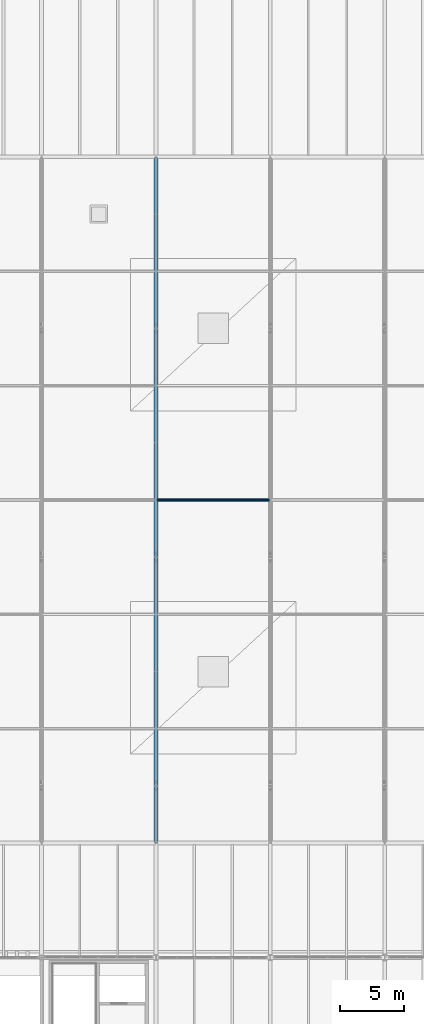
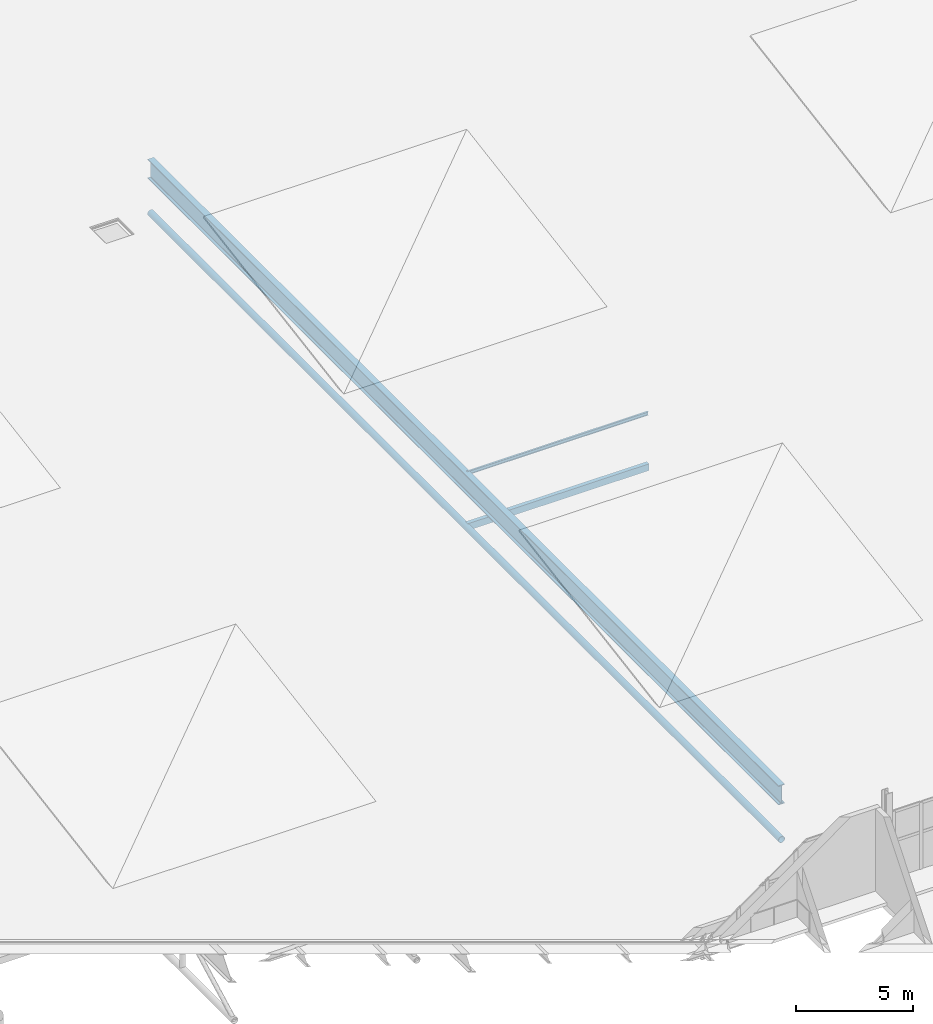
# One storey, part 75 of 196: 3 members, 1 beam.
"""IFC4 building model written with IfcOpenShell, lengths in metres."""

from ifc_helpers import new_model, si_unit, direction, frame, origin, origin_2d, place, context, subcontext, project, spatial, hollow_rectangle, hollow_circle, i_section, extrude, material, material_profile, profile_set, type_object, element, save


model = new_model("IFC4")

# Units and contexts
model_context = context("Model", 3, precision=1e-05, world=origin(), true_north=direction((0.0, 1.0)))
body_context = subcontext(model_context, "Body", "Model", "MODEL_VIEW")
ifc_project = project(units=[si_unit("LENGTHUNIT", "METRE"), si_unit("AREAUNIT", "SQUARE_METRE"), si_unit("VOLUMEUNIT", "CUBIC_METRE"), si_unit("PLANEANGLEUNIT", "RADIAN"), si_unit("MASSUNIT", "GRAM", prefix="KILO")], contexts=[model_context])

# Site, building, storey
site_placement = place(None, origin())
site = spatial("IfcSite", under=ifc_project, at=site_placement, CompositionType="ELEMENT")
building_placement = place(site_placement, origin())
building = spatial("IfcBuilding", under=site, at=building_placement, Name="Barlavento Convention Centre", CompositionType="ELEMENT")
storey_placement = place(building_placement, frame((0.0, 0.0, 18.0)))
storey = spatial("IfcBuildingStorey", under=building, at=storey_placement, Name="L03", CompositionType="ELEMENT", Elevation=18.0)

# Beam
ifc_material_1 = material(Name="Steel S460", Category="steel")
ifc_material_profile_1 = material_profile(ifc_material_1, i_section(OverallWidth=0.302001953125, OverallDepth=1.008056640625, WebThickness=0.02099609375, FlangeThickness=0.0400390625, FilletRadius=0.030029296875, at=origin_2d()), Name="HEM 1000")
ifc_profile_set_1 = profile_set([ifc_material_profile_1], Name="Steel S460")
beam_type = type_object("IfcBeamType", Name="STR-BM-EXH-HEM1000", PredefinedType="BEAM", material=ifc_profile_set_1)
beam_placement = place(storey_placement, frame((72.0, 63.02001953125, -0.84912109375), z_axis=(0.0, 1.0, 0.0), x_axis=(-1.0, 0.0, 0.0)))
element("IfcBeam", 1, at=beam_placement, inside=storey, type_object=beam_type, Name="Exhibition roof space frame top girder", PredefinedType="BEAM", context=body_context, shape_type="SweptSolid", body=[
    extrude(i_section(OverallWidth=0.302001953125, OverallDepth=1.008056640625, WebThickness=0.02099609375, FlangeThickness=0.0400390625, FilletRadius=0.030029296875, at=origin_2d()), origin(), (0.0, 0.0, 1.0), 53.9599609375),
])

# Members
ifc_material_2 = material(Name="Steel S355", Category="steel")
ifc_material_profile_2 = material_profile(ifc_material_2, hollow_circle(Radius=0.161865234375, WallThickness=0.01611328125, at=origin_2d()), Name="CHS 323.9x16.0")
ifc_profile_set_2 = profile_set([ifc_material_profile_2], Name="Steel S355")
member_type_1 = type_object("IfcMemberType", Name="STR-MEM-CHD-CHS323", PredefinedType="CHORD", material=ifc_profile_set_2)
member_1_placement = place(storey_placement, frame((72.0, 63.02001953125, -3.199951171875), z_axis=(0.0, 1.0, 0.0), x_axis=(-1.0, 0.0, 0.0)))
element("IfcMember", 2, at=member_1_placement, inside=storey, type_object=member_type_1, Name="Exhibition space frame bottom chord TC02", PredefinedType="CHORD", context=body_context, shape_type="SweptSolid", body=[
    extrude(hollow_circle(Radius=0.161865234375, WallThickness=0.01611328125, at=origin_2d()), origin(), (0.0, 0.0, 1.0), 53.9599609375),
])
ifc_material_profile_3 = material_profile(ifc_material_2, hollow_rectangle(XDim=0.199951171875, YDim=0.35009765625, WallThickness=0.012451171875, at=origin_2d()), Name="RHS 350x200x12.5")
ifc_profile_set_3 = profile_set([ifc_material_profile_3], Name="Steel S355")
member_type_2 = type_object("IfcMemberType", Name="STR-MEM-COL-RHS350", PredefinedType="COLLAR", material=ifc_profile_set_3)
member_2_placement = place(storey_placement, frame((72.02001953125, 90.0, -3.199951171875), z_axis=(1.0, 0.0, 0.0), x_axis=(0.0, 1.0, 0.0)))
element("IfcMember", 3, at=member_2_placement, inside=storey, type_object=member_type_2, Name="Exhibition space frame transverse chord", PredefinedType="COLLAR", context=body_context, shape_type="SweptSolid", body=[
    extrude(hollow_rectangle(XDim=0.199951171875, YDim=0.35009765625, WallThickness=0.012451171875, at=origin_2d()), origin(), (0.0, 0.0, 1.0), 8.9599609375),
])
ifc_material_profile_4 = material_profile(ifc_material_2, i_section(OverallWidth=0.091064453125, OverallDepth=0.179931640625, WebThickness=0.00537109375, FlangeThickness=0.008056640625, FilletRadius=0.009033203125, at=origin_2d()), Name="IPE 180")
ifc_profile_set_4 = profile_set([ifc_material_profile_4], Name="Steel S355")
member_type_3 = type_object("IfcMemberType", Name="STR-MEM-PUR-IPE180", PredefinedType="PURLIN", material=ifc_profile_set_4)
member_3_placement = place(storey_placement, frame((72.02001953125, 90.0, -0.43505859375), z_axis=(1.0, 0.0, 0.0), x_axis=(0.0, 1.0, 0.0)))
element("IfcMember", 4, at=member_3_placement, inside=storey, type_object=member_type_3, Name="Exhibition roof purlin", PredefinedType="PURLIN", context=body_context, shape_type="SweptSolid", body=[
    extrude(i_section(OverallWidth=0.091064453125, OverallDepth=0.179931640625, WebThickness=0.00537109375, FlangeThickness=0.008056640625, FilletRadius=0.009033203125, at=origin_2d()), origin(), (0.0, 0.0, 1.0), 8.9599609375),
])

save(model, "model.ifc")
